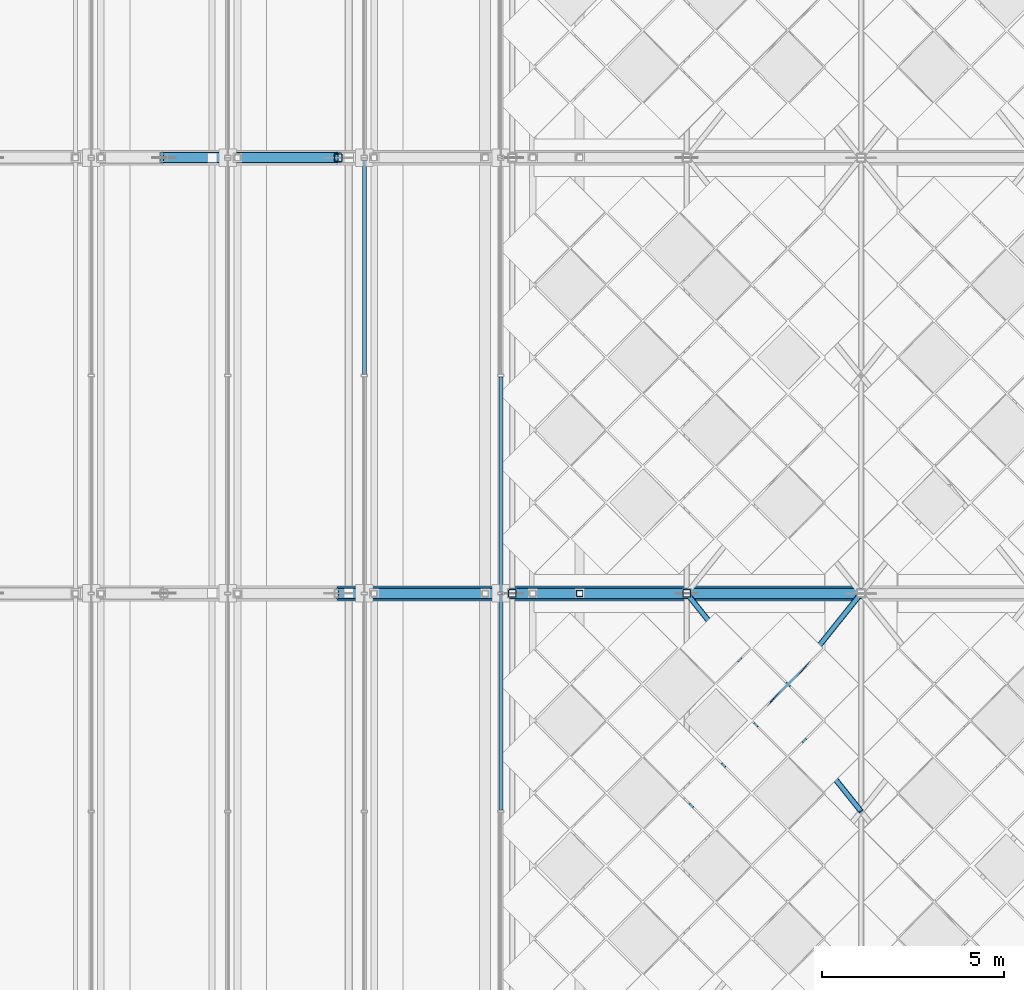
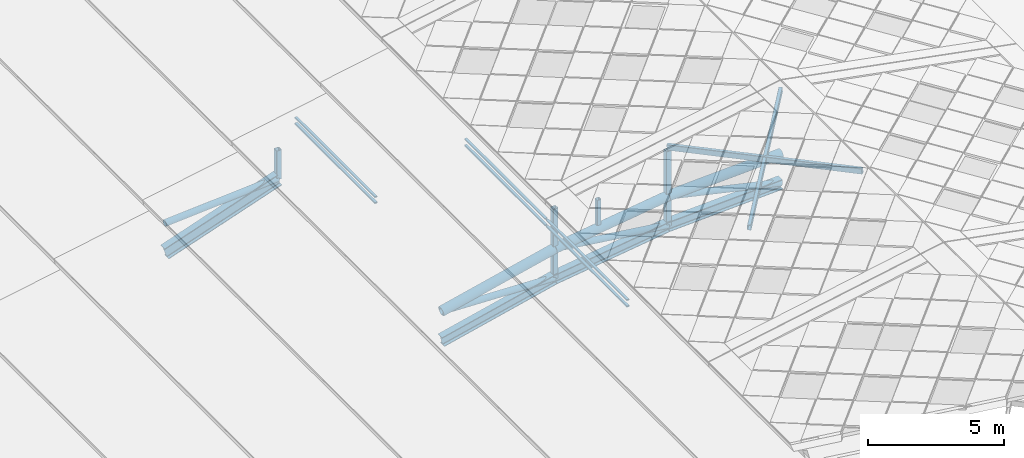
# One storey, part 16 of 117: 23 members, 2 elements without a shape of their own.
"""IFC4 building model written with IfcOpenShell, lengths in metres."""

from ifc_helpers import new_model, si_unit, direction, frame, origin, origin_2d, place, context, subcontext, project, spatial, hollow_rectangle, hollow_circle, i_section, extrude, material, material_profile, profile_set, type_object, element, aggregate, save


model = new_model("IFC4")

# Units and contexts
model_context = context("Model", 3, precision=1e-05, world=origin(), true_north=direction((0.0, 1.0)))
body_context = subcontext(model_context, "Body", "Model", "MODEL_VIEW")
ifc_project = project(units=[si_unit("LENGTHUNIT", "METRE"), si_unit("AREAUNIT", "SQUARE_METRE"), si_unit("VOLUMEUNIT", "CUBIC_METRE"), si_unit("PLANEANGLEUNIT", "RADIAN"), si_unit("MASSUNIT", "GRAM", prefix="KILO")], contexts=[model_context])

# Site, building, storey
site_placement = place(None, origin())
site = spatial("IfcSite", under=ifc_project, at=site_placement, CompositionType="ELEMENT")
building_placement = place(site_placement, origin())
building = spatial("IfcBuilding", under=site, at=building_placement, Name="Merenkruunu Market Hall", CompositionType="ELEMENT")
storey_placement = place(building_placement, frame((0.0, 0.0, 22.800048828125)))
storey = spatial("IfcBuildingStorey", under=building, at=storey_placement, Name="RF", CompositionType="ELEMENT", Elevation=22.800048828125)

# Members
ifc_material_1 = material(Name="Steel S355ML", Category="steel")
ifc_material_profile_1 = material_profile(ifc_material_1, hollow_circle(Radius=0.203125, WallThickness=0.01611328125, at=origin_2d()), Name="CHS 406.4x16")
ifc_profile_set_1 = profile_set([ifc_material_profile_1], Name="Steel S355ML")
member_type_1 = type_object("IfcMemberType", Name="Arch Truss Chord TC02", PredefinedType="CHORD", material=ifc_profile_set_1)
member_1_placement = place(storey_placement, frame((14.39990234375, 51.60009765625, -3.47998046875), z_axis=(0.972941974064, 0.0, 0.231049594471), x_axis=(0.0, 1.0, 0.0)))
element("IfcMember", 1, at=member_1_placement, inside=storey, type_object=member_type_1, Name="TRUSS-AT-4-TOP-04", PredefinedType="CHORD", context=body_context, shape_type="SweptSolid", body=[
    extrude(hollow_circle(Radius=0.203125, WallThickness=0.01611328125, at=origin_2d()), origin(), (0.0, 0.0, 1.0), 4.93359375),
])
member_2_placement = place(storey_placement, frame((19.199951171875, 51.60009765625, -2.340087890625), z_axis=(0.990338564897, 0.0, 0.138670569613), x_axis=(0.0, 1.0, 0.0)))
element("IfcMember", 2, at=member_2_placement, inside=storey, type_object=member_type_1, Name="TRUSS-AT-4-TOP-05", PredefinedType="CHORD", context=body_context, shape_type="SweptSolid", body=[
    extrude(hollow_circle(Radius=0.203125, WallThickness=0.01611328125, at=origin_2d()), origin(), (0.0, 0.0, 1.0), 4.846923828125),
])
member_3_placement = place(storey_placement, frame((24.0, 51.60009765625, -1.66796875), z_axis=(0.998932934692, 0.0, 0.046184326211), x_axis=(0.0, 1.0, 0.0)))
element("IfcMember", 3, at=member_3_placement, inside=storey, type_object=member_type_1, Name="TRUSS-AT-4-TOP-06", PredefinedType="CHORD", context=body_context, shape_type="SweptSolid", body=[
    extrude(hollow_circle(Radius=0.203125, WallThickness=0.01611328125, at=origin_2d()), origin(), (0.0, 0.0, 1.0), 4.80517578125),
])
ifc_material_profile_2 = material_profile(ifc_material_1, i_section(OverallWidth=0.300048828125, OverallDepth=0.550048828125, WebThickness=0.014892578125, FlangeThickness=0.029052734375, FilletRadius=0.027099609375, at=origin_2d()), Name="HEB 550")
ifc_profile_set_2 = profile_set([ifc_material_profile_2], Name="Steel S355ML")
member_type_2 = type_object("IfcMemberType", Name="Arch Truss Chord TC03", PredefinedType="CHORD", material=ifc_profile_set_2)
member_4_placement = place(storey_placement, frame((9.60009765625, 63.60009765625, -6.421142578125), z_axis=(0.946219828174, 0.0, 0.323524399033), x_axis=(0.0, 1.0, 0.0)))
element("IfcMember", 4, at=member_4_placement, inside=storey, type_object=member_type_2, Name="TRUSS-AT-5-BOT-03", PredefinedType="CHORD", context=body_context, shape_type="SweptSolid", body=[
    extrude(i_section(OverallWidth=0.300048828125, OverallDepth=0.550048828125, WebThickness=0.014892578125, FlangeThickness=0.029052734375, FilletRadius=0.027099609375, at=origin_2d()), origin(), (0.0, 0.0, 1.0), 5.072509765625),
])
ifc_material_profile_3 = material_profile(ifc_material_1, i_section(OverallWidth=0.300048828125, OverallDepth=0.449951171875, WebThickness=0.013916015625, FlangeThickness=0.02587890625, FilletRadius=0.027099609375, at=origin_2d()), Name="HEB 450")
ifc_profile_set_3 = profile_set([ifc_material_profile_3], Name="Steel S355ML")
member_type_3 = type_object("IfcMemberType", Name="Arch Truss Chord TC04", PredefinedType="CHORD", material=ifc_profile_set_3)
member_5_placement = place(storey_placement, frame((14.39990234375, 51.60009765625, -4.780029296875), z_axis=(0.972941974064, 0.0, 0.231049594471), x_axis=(0.0, 1.0, 0.0)))
element("IfcMember", 5, at=member_5_placement, inside=storey, type_object=member_type_3, Name="TRUSS-AT-4-BOT-04", PredefinedType="CHORD", context=body_context, shape_type="SweptSolid", body=[
    extrude(i_section(OverallWidth=0.300048828125, OverallDepth=0.449951171875, WebThickness=0.013916015625, FlangeThickness=0.02587890625, FilletRadius=0.027099609375, at=origin_2d()), origin(), (0.0, 0.0, 1.0), 4.93359375),
])
member_6_placement = place(storey_placement, frame((19.199951171875, 51.60009765625, -3.64013671875), z_axis=(0.990338564897, 0.0, 0.138670569613), x_axis=(0.0, 1.0, 0.0)))
element("IfcMember", 6, at=member_6_placement, inside=storey, type_object=member_type_3, Name="TRUSS-AT-4-BOT-05", PredefinedType="CHORD", context=body_context, shape_type="SweptSolid", body=[
    extrude(i_section(OverallWidth=0.300048828125, OverallDepth=0.449951171875, WebThickness=0.013916015625, FlangeThickness=0.02587890625, FilletRadius=0.027099609375, at=origin_2d()), origin(), (0.0, 0.0, 1.0), 4.846923828125),
])
member_7_placement = place(storey_placement, frame((24.0, 51.60009765625, -2.968017578125), z_axis=(0.998932934692, 0.0, 0.046184326211), x_axis=(0.0, 1.0, 0.0)))
element("IfcMember", 7, at=member_7_placement, inside=storey, type_object=member_type_3, Name="TRUSS-AT-4-BOT-06", PredefinedType="CHORD", context=body_context, shape_type="SweptSolid", body=[
    extrude(i_section(OverallWidth=0.300048828125, OverallDepth=0.449951171875, WebThickness=0.013916015625, FlangeThickness=0.02587890625, FilletRadius=0.027099609375, at=origin_2d()), origin(), (0.0, 0.0, 1.0), 4.80517578125),
])

# Curtain wall, members
ifc_material_2 = material(Name="Powder-coated aluminium", Category="aluminium")
curtain_wall_type = type_object("IfcCurtainWallType", Name="Clerestory Curtain Band CL05", PredefinedType="USERDEFINED", material=ifc_material_2)
curtain_wall_1_placement = place(storey_placement, origin())
curtain_wall_1 = element("IfcCurtainWall", 8, at=curtain_wall_1_placement, inside=storey, type_object=curtain_wall_type, Name="CW-RF-CWM04-107", ObjectType="CLERESTORY_BAND", PredefinedType="USERDEFINED")
ifc_material_profile_4 = material_profile(ifc_material_2, hollow_rectangle(XDim=0.06005859375, YDim=0.110107421875, WallThickness=0.00390625, at=origin_2d()), Name="ALU 60x110x4")
ifc_profile_set_4 = profile_set([ifc_material_profile_4], Name="Powder-coated aluminium")
member_type_4 = type_object("IfcMemberType", Name="Curtain Wall Transom CWT03", PredefinedType="USERDEFINED", material=ifc_profile_set_4)
member_8_placement = place(storey_placement, frame((15.1201171875, 57.635009765625, -2.531982421875), z_axis=(0.0, 1.0, 0.0), x_axis=(0.0, 0.0, 1.0)))
member_8 = element("IfcMember", 9, at=member_8_placement, type_object=member_type_4, Name="CL05 transom 4.1", ObjectType="TRANSOM", PredefinedType="USERDEFINED", context=body_context, shape_type="SweptSolid", body=[
    extrude(hollow_rectangle(XDim=0.06005859375, YDim=0.110107421875, WallThickness=0.00390625, at=origin_2d()), origin(), (0.0, 0.0, 1.0), 5.89501953125),
])
member_9_placement = place(storey_placement, frame((15.1201171875, 57.635009765625, -2.26513671875), z_axis=(0.0, 1.0, 0.0), x_axis=(0.0, 0.0, 1.0)))
member_9 = element("IfcMember", 10, at=member_9_placement, type_object=member_type_4, Name="CL05 transom 4.2", ObjectType="TRANSOM", PredefinedType="USERDEFINED", context=body_context, shape_type="SweptSolid", body=[
    extrude(hollow_rectangle(XDim=0.06005859375, YDim=0.110107421875, WallThickness=0.00390625, at=origin_2d()), origin(), (0.0, 0.0, 1.0), 5.89501953125),
])
aggregate(curtain_wall_1, [member_8, member_9])

curtain_wall_2_placement = place(storey_placement, origin())
curtain_wall_2 = element("IfcCurtainWall", 11, at=curtain_wall_2_placement, inside=storey, type_object=curtain_wall_type, Name="CW-RF-CWM04-115", ObjectType="CLERESTORY_BAND", PredefinedType="USERDEFINED")
member_10_placement = place(storey_placement, frame((18.8798828125, 45.635009765625, -1.212158203125), z_axis=(0.0, 1.0, 0.0), x_axis=(0.0, 0.0, 1.0)))
member_10 = element("IfcMember", 12, at=member_10_placement, type_object=member_type_4, Name="CL05 transom 2.1", ObjectType="TRANSOM", PredefinedType="USERDEFINED", context=body_context, shape_type="SweptSolid", body=[
    extrude(hollow_rectangle(XDim=0.06005859375, YDim=0.110107421875, WallThickness=0.00390625, at=origin_2d()), origin(), (0.0, 0.0, 1.0), 5.929931640625),
])
member_11_placement = place(storey_placement, frame((18.8798828125, 45.635009765625, -0.924072265625), z_axis=(0.0, 1.0, 0.0), x_axis=(0.0, 0.0, 1.0)))
member_11 = element("IfcMember", 13, at=member_11_placement, type_object=member_type_4, Name="CL05 transom 2.2", ObjectType="TRANSOM", PredefinedType="USERDEFINED", context=body_context, shape_type="SweptSolid", body=[
    extrude(hollow_rectangle(XDim=0.06005859375, YDim=0.110107421875, WallThickness=0.00390625, at=origin_2d()), origin(), (0.0, 0.0, 1.0), 5.929931640625),
])
member_12_placement = place(storey_placement, frame((18.8798828125, 51.635009765625, -1.212158203125), z_axis=(0.0, 1.0, 0.0), x_axis=(0.0, 0.0, 1.0)))
member_12 = element("IfcMember", 14, at=member_12_placement, type_object=member_type_4, Name="CL05 transom 3.1", ObjectType="TRANSOM", PredefinedType="USERDEFINED", context=body_context, shape_type="SweptSolid", body=[
    extrude(hollow_rectangle(XDim=0.06005859375, YDim=0.110107421875, WallThickness=0.00390625, at=origin_2d()), origin(), (0.0, 0.0, 1.0), 5.929931640625),
])
member_13_placement = place(storey_placement, frame((18.8798828125, 51.635009765625, -0.924072265625), z_axis=(0.0, 1.0, 0.0), x_axis=(0.0, 0.0, 1.0)))
member_13 = element("IfcMember", 15, at=member_13_placement, type_object=member_type_4, Name="CL05 transom 3.2", ObjectType="TRANSOM", PredefinedType="USERDEFINED", context=body_context, shape_type="SweptSolid", body=[
    extrude(hollow_rectangle(XDim=0.06005859375, YDim=0.110107421875, WallThickness=0.00390625, at=origin_2d()), origin(), (0.0, 0.0, 1.0), 5.929931640625),
])
aggregate(curtain_wall_2, [member_10, member_11, member_12, member_13])

# Members
ifc_material_profile_5 = material_profile(ifc_material_1, hollow_circle(Radius=0.136474609375, WallThickness=0.012451171875, at=origin_2d()), Name="CHS 273x12.5")
ifc_profile_set_5 = profile_set([ifc_material_profile_5], Name="Steel S355ML")
member_type_5 = type_object("IfcMemberType", Name="Diagonal Sway Brace BR02", PredefinedType="BRACE", material=ifc_profile_set_5)
member_14_placement = place(storey_placement, frame((14.39990234375, 51.60009765625, -3.47998046875), z_axis=(0.999443834494, 0.0, -0.033346989239), x_axis=(0.0, 1.0, 0.0)))
element("IfcMember", 16, at=member_14_placement, inside=storey, type_object=member_type_5, Name="TRUSS-AT-4-DIAG-04", PredefinedType="BRACE", context=body_context, shape_type="SweptSolid", body=[
    extrude(hollow_circle(Radius=0.136474609375, WallThickness=0.012451171875, at=origin_2d()), origin(), (0.0, 0.0, 1.0), 4.802734375),
])
member_15_placement = place(storey_placement, frame((19.199951171875, 51.60009765625, -2.340087890625), z_axis=(0.991551689691, 0.0, -0.129712168551), x_axis=(0.0, 1.0, 0.0)))
element("IfcMember", 17, at=member_15_placement, inside=storey, type_object=member_type_5, Name="TRUSS-AT-4-DIAG-05", PredefinedType="BRACE", context=body_context, shape_type="SweptSolid", body=[
    extrude(hollow_circle(Radius=0.136474609375, WallThickness=0.012451171875, at=origin_2d()), origin(), (0.0, 0.0, 1.0), 4.841064453125),
])
member_16_placement = place(storey_placement, frame((24.0, 51.60009765625, -1.66796875), z_axis=(0.975691787326, 0.0, -0.219147293262), x_axis=(0.0, 1.0, 0.0)))
element("IfcMember", 18, at=member_16_placement, inside=storey, type_object=member_type_5, Name="TRUSS-AT-4-DIAG-06", PredefinedType="BRACE", context=body_context, shape_type="SweptSolid", body=[
    extrude(hollow_circle(Radius=0.136474609375, WallThickness=0.012451171875, at=origin_2d()), origin(), (0.0, 0.0, 1.0), 4.919677734375),
])
member_17_placement = place(storey_placement, frame((9.60009765625, 63.60009765625, -5.12109375), z_axis=(0.997484901828, 0.0, 0.070879267948), x_axis=(0.0, 1.0, 0.0)))
element("IfcMember", 19, at=member_17_placement, inside=storey, type_object=member_type_5, Name="TRUSS-AT-5-DIAG-03", PredefinedType="BRACE", context=body_context, shape_type="SweptSolid", body=[
    extrude(hollow_circle(Radius=0.136474609375, WallThickness=0.012451171875, at=origin_2d()), origin(), (0.0, 0.0, 1.0), 4.81201171875),
])
ifc_material_3 = material(Name="Steel S355J2", Category="steel")
ifc_material_profile_6 = material_profile(ifc_material_3, hollow_rectangle(XDim=0.219970703125, YDim=0.219970703125, WallThickness=0.012451171875, InnerFilletRadius=0.012451171875, OuterFilletRadius=0.02490234375, at=origin_2d()), Name="SHS 220x220x12.5")
ifc_profile_set_6 = profile_set([ifc_material_profile_6], Name="Steel S355J2")
member_type_6 = type_object("IfcMemberType", Name="Diagonal Sway Brace BR04", PredefinedType="BRACE", material=ifc_profile_set_6)
member_18_placement = place(storey_placement, frame((19.199951171875, 51.60009765625, -3.64013671875), z_axis=(0.0, 0.0, 1.0), x_axis=(1.0, 0.0, 0.0)))
element("IfcMember", 20, at=member_18_placement, inside=storey, type_object=member_type_6, Name="TRUSS-AT-4-POST-04", PredefinedType="BRACE", context=body_context, shape_type="SweptSolid", body=[
    extrude(hollow_rectangle(XDim=0.219970703125, YDim=0.219970703125, WallThickness=0.012451171875, InnerFilletRadius=0.012451171875, OuterFilletRadius=0.02490234375, at=origin_2d()), origin(), (0.0, 0.0, 1.0), 3.1416015625),
])
member_19_placement = place(storey_placement, frame((24.0, 51.60009765625, -2.968017578125), z_axis=(0.0, 0.0, 1.0), x_axis=(1.0, 0.0, 0.0)))
element("IfcMember", 21, at=member_19_placement, inside=storey, type_object=member_type_6, Name="TRUSS-AT-4-POST-05", PredefinedType="BRACE", context=body_context, shape_type="SweptSolid", body=[
    extrude(hollow_rectangle(XDim=0.219970703125, YDim=0.219970703125, WallThickness=0.012451171875, InnerFilletRadius=0.012451171875, OuterFilletRadius=0.02490234375, at=origin_2d()), origin(), (0.0, 0.0, 1.0), 3.3720703125),
])
member_20_placement = place(storey_placement, frame((14.39990234375, 63.60009765625, -4.780029296875), z_axis=(0.0, 0.0, 1.0), x_axis=(1.0, 0.0, 0.0)))
element("IfcMember", 22, at=member_20_placement, inside=storey, type_object=member_type_6, Name="TRUSS-AT-5-POST-03", PredefinedType="BRACE", context=body_context, shape_type="SweptSolid", body=[
    extrude(hollow_rectangle(XDim=0.219970703125, YDim=0.219970703125, WallThickness=0.012451171875, InnerFilletRadius=0.012451171875, OuterFilletRadius=0.02490234375, at=origin_2d()), origin(), (0.0, 0.0, 1.0), 1.300048828125),
])
ifc_material_profile_7 = material_profile(ifc_material_3, hollow_rectangle(XDim=0.179931640625, YDim=0.179931640625, WallThickness=0.010009765625, InnerFilletRadius=0.010009765625, OuterFilletRadius=0.02001953125, at=origin_2d()), Name="SHS 180x180x10")
ifc_profile_set_7 = profile_set([ifc_material_profile_7], Name="Steel S355J2")
member_type_7 = type_object("IfcMemberType", Name="Diagonal Sway Brace BR05", PredefinedType="BRACE", material=ifc_profile_set_7)
member_21_placement = place(storey_placement, frame((21.050048828125, 51.60009765625, -1.889892578125), z_axis=(0.0, 0.0, 1.0), x_axis=(1.0, 0.0, 0.0)))
element("IfcMember", 23, at=member_21_placement, inside=storey, type_object=member_type_7, Name="TRUSS-AT-4-RISER-W6-2", PredefinedType="BRACE", context=body_context, shape_type="SweptSolid", body=[
    extrude(hollow_rectangle(XDim=0.179931640625, YDim=0.179931640625, WallThickness=0.010009765625, InnerFilletRadius=0.010009765625, OuterFilletRadius=0.02001953125, at=origin_2d()), origin(), (0.0, 0.0, 1.0), 1.12841796875),
])
ifc_material_profile_8 = material_profile(ifc_material_1, hollow_rectangle(XDim=0.14990234375, YDim=0.25, WallThickness=0.010009765625, InnerFilletRadius=0.010009765625, OuterFilletRadius=0.02001953125, at=origin_2d()), Name="RHS 250x150x10")
ifc_profile_set_8 = profile_set([ifc_material_profile_8], Name="Steel S355ML")
member_type_8 = type_object("IfcMemberType", Name="Roof Purlin Rafter PR04", PredefinedType="PURLIN", material=ifc_profile_set_8)
for number, where, z_axis, x_axis, name in (
    (24, (24.0, 45.60009765625, 0.546875), (0.620665210201, 0.775823620665, 0.11345662812), (-0.780865709579, 0.624698922365, 0.0), "MEM-CROWN-DIAG-032"),
    (25, (28.800048828125, 45.60009765625, 1.42431640625), (-0.620665210201, 0.775823620665, -0.11345662812), (-0.780865709579, -0.624698922365, 0.0), "MEM-CROWN-DIAG-033"),
):
    element("IfcMember", number, at=place(storey_placement, frame(where, z_axis=z_axis, x_axis=x_axis)), inside=storey, type_object=member_type_8, Name=name, PredefinedType="PURLIN", context=body_context, shape_type="SweptSolid", body=[
        extrude(hollow_rectangle(XDim=0.14990234375, YDim=0.25, WallThickness=0.010009765625, InnerFilletRadius=0.010009765625, OuterFilletRadius=0.02001953125, at=origin_2d()), origin(), (0.0, 0.0, 1.0), 7.733642578125),
    ])

save(model, "model.ifc")
